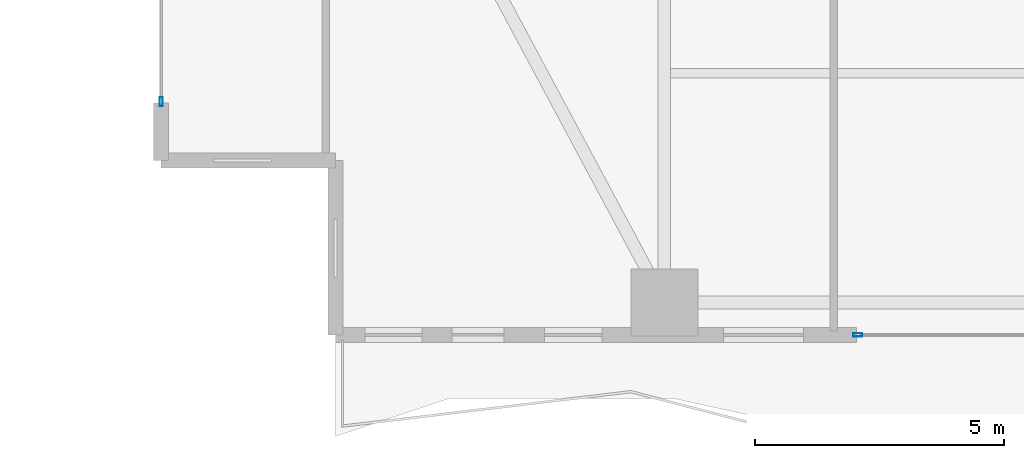
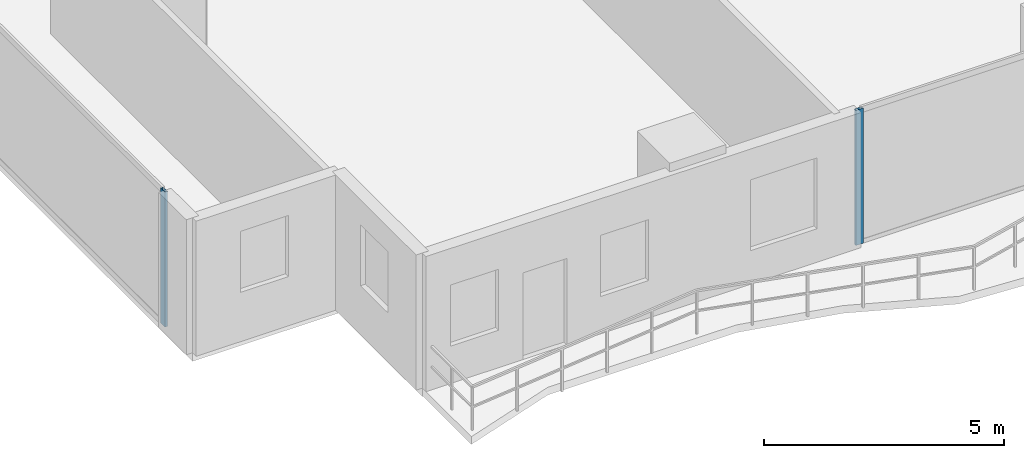
# One storey, part 2 of 28: 2 members, 2 elements without a shape of their own.
"""IFC4 building model written with IfcOpenShell, lengths in metres."""

from ifc_helpers import new_model, si_unit, direction, frame, origin, origin_2d, place, context, subcontext, project, spatial, hollow_rectangle, extrude, material, layer, layer_set, material_profile, profile_set, type_object, element, aggregate, save


model = new_model("IFC4")

# Units and contexts
model_context = context("Model", 3, precision=1e-05, world=origin(), true_north=direction((0.0, 1.0)))
body_context = subcontext(model_context, "Body", "Model", "MODEL_VIEW")
ifc_project = project(units=[si_unit("LENGTHUNIT", "METRE"), si_unit("AREAUNIT", "SQUARE_METRE"), si_unit("VOLUMEUNIT", "CUBIC_METRE"), si_unit("PLANEANGLEUNIT", "RADIAN"), si_unit("MASSUNIT", "GRAM", prefix="KILO")], contexts=[model_context])

# Site, building, storey
site_placement = place(None, origin())
site = spatial("IfcSite", under=ifc_project, at=site_placement, CompositionType="ELEMENT")
building_placement = place(site_placement, origin())
building = spatial("IfcBuilding", under=site, at=building_placement, Name="Zuhayl Quay Hotel", CompositionType="ELEMENT")
storey_placement = place(building_placement, frame((0.0, 0.0, 143.10009765625)))
storey = spatial("IfcBuildingStorey", under=building, at=storey_placement, Name="L36", CompositionType="ELEMENT", Elevation=143.10009765625)

# Curtain wall, member
ifc_material_1 = material(Name="Anodised Aluminium 6063-T6", Category="aluminium")
ifc_layer = layer(ifc_material_1, 0.179931640625, Name="Anodised Aluminium 6063-T6", Category="aluminium")
ifc_layer_set = layer_set([ifc_layer], Name="Anodised Aluminium 6063-T6")
curtain_wall_type = type_object("IfcCurtainWallType", Name="CW_SYS_Z2", PredefinedType="USERDEFINED", material=ifc_layer_set)
curtain_wall_1_placement = place(storey_placement, origin())
curtain_wall_1 = element("IfcCurtainWall", 1, at=curtain_wall_1_placement, inside=storey, type_object=curtain_wall_type, Name="L36 Curtain Wall ENV_L36_E02_CW1", ObjectType="UNITISED CURTAIN WALL", PredefinedType="USERDEFINED")
ifc_material_2 = material(Name="Black-anodised aluminium 6063-T6", Category="aluminium")
ifc_material_profile = material_profile(ifc_material_2, hollow_rectangle(XDim=0.06494140625, YDim=0.179931640625, WallThickness=0.00341796875, at=origin_2d()), Name="ALU180X65")
ifc_profile_set = profile_set([ifc_material_profile], Name="Black-anodised aluminium 6063-T6")
member_type = type_object("IfcMemberType", Name="MB_CW_MUL_180", PredefinedType="MULLION", material=ifc_profile_set)
member_1_placement = place(storey_placement, frame((-23.89990234375, -10.717529296875, 0.0), z_axis=(0.0, 0.0, 1.0), x_axis=(-1.0, 0.0, 0.0)))
member_1 = element("IfcMember", 2, at=member_1_placement, type_object=member_type, Name="CW-Z2 mullion 1", PredefinedType="MULLION", context=body_context, shape_type="SweptSolid", body=[
    extrude(hollow_rectangle(XDim=0.06494140625, YDim=0.179931640625, WallThickness=0.00341796875, at=origin_2d()), origin(), (0.0, 0.0, 1.0), 3.429931640625),
])
aggregate(curtain_wall_1, [member_1])

curtain_wall_2_placement = place(storey_placement, origin())
curtain_wall_2 = element("IfcCurtainWall", 3, at=curtain_wall_2_placement, inside=storey, type_object=curtain_wall_type, Name="L36 Curtain Wall ENV_L36_S_CW6", ObjectType="UNITISED CURTAIN WALL", PredefinedType="USERDEFINED")
member_2_placement = place(storey_placement, frame((-9.91748046875, -15.39990234375, 0.0), z_axis=(0.0, 0.0, 1.0), x_axis=(0.0, -1.0, 0.0)))
member_2 = element("IfcMember", 4, at=member_2_placement, type_object=member_type, Name="CW-Z2 mullion 2", PredefinedType="MULLION", context=body_context, shape_type="SweptSolid", body=[
    extrude(hollow_rectangle(XDim=0.06494140625, YDim=0.179931640625, WallThickness=0.00341796875, at=origin_2d()), origin(), (0.0, 0.0, 1.0), 3.429931640625),
])
aggregate(curtain_wall_2, [member_2])

save(model, "model.ifc")
